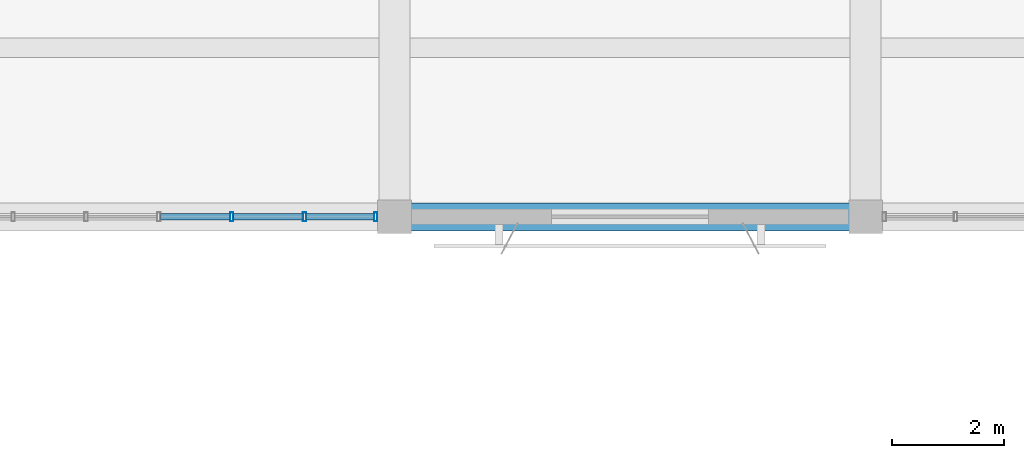
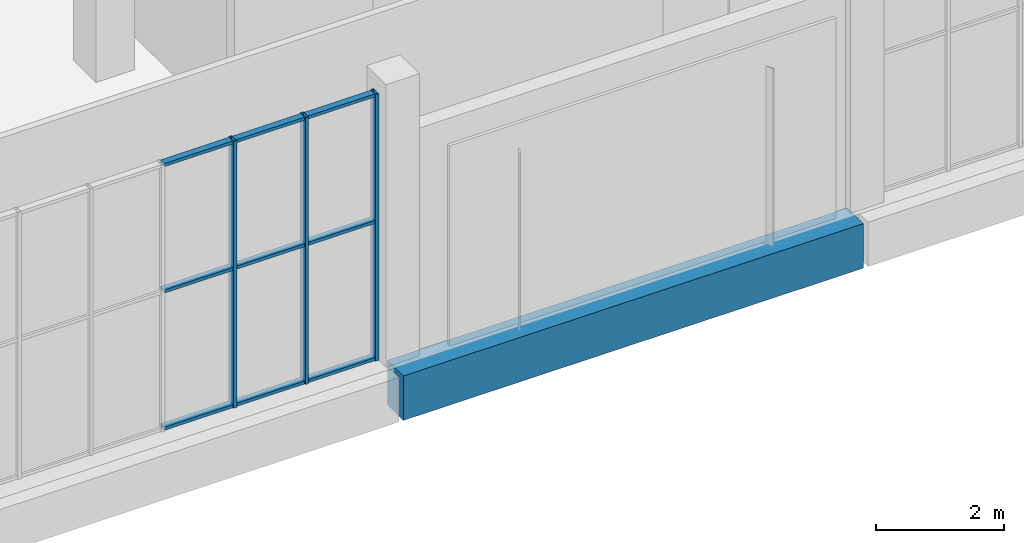
# One storey, part 68 of 132: 12 members, 1 beam, 1 element without a shape of its own.
"""IFC4 building model written with IfcOpenShell, lengths in metres."""

from ifc_helpers import new_model, si_unit, direction, frame, origin, origin_2d, place, context, subcontext, project, spatial, rectangle, hollow_rectangle, extrude, material, material_profile, profile_set, type_object, element, aggregate, save


model = new_model("IFC4")

# Units and contexts
model_context = context("Model", 3, precision=1e-05, world=origin(), true_north=direction((0.0, 1.0)))
body_context = subcontext(model_context, "Body", "Model", "MODEL_VIEW")
ifc_project = project(units=[si_unit("LENGTHUNIT", "METRE"), si_unit("AREAUNIT", "SQUARE_METRE"), si_unit("VOLUMEUNIT", "CUBIC_METRE"), si_unit("PLANEANGLEUNIT", "RADIAN"), si_unit("MASSUNIT", "GRAM", prefix="KILO")], contexts=[model_context])

# Site, building, storey
site_placement = place(None, origin())
site = spatial("IfcSite", under=ifc_project, at=site_placement, CompositionType="ELEMENT")
building_placement = place(site_placement, origin())
building = spatial("IfcBuilding", under=site, at=building_placement, Name="Khurvash Pelagic Aquarium", CompositionType="ELEMENT")
storey_placement = place(building_placement, frame((0.0, 0.0, 5.39990234375)))
storey = spatial("IfcBuildingStorey", under=building, at=storey_placement, Name="L01", CompositionType="ELEMENT", Elevation=5.39990234375)

# Curtain wall, members
ifc_material_1 = material(Name="Anodised aluminium and low-E laminated glass", Category="aluminium")
curtain_wall_type = type_object("IfcCurtainWallType", Name="CW-05", PredefinedType="USERDEFINED", material=ifc_material_1)
curtain_wall_placement = place(storey_placement, origin())
curtain_wall = element("IfcCurtainWall", 1, at=curtain_wall_placement, inside=storey, type_object=curtain_wall_type, Name="L01 Facade Unitised Curtain Wall CW-05 0137", ObjectType="UNITISED CURTAIN WALL", PredefinedType="USERDEFINED")
ifc_material_2 = material(Name="Extruded aluminium AW-6063-T6", Category="aluminium")
ifc_material_profile_1 = material_profile(ifc_material_2, hollow_rectangle(XDim=0.06005859375, YDim=0.159912109375, WallThickness=0.00390625, at=origin_2d()), Name="CWM60X160X4")
ifc_profile_set_1 = profile_set([ifc_material_profile_1], Name="Extruded aluminium AW-6063-T6")
member_type_1 = type_object("IfcMemberType", Name="CM-02", PredefinedType="MULLION", material=ifc_profile_set_1)
member_1_placement = place(storey_placement, frame((64.29833984375, 84.050048828125, 0.0), z_axis=(0.0, 0.0, 1.0), x_axis=(1.0, 0.0, 0.0)))
member_1 = element("IfcMember", 2, at=member_1_placement, type_object=member_type_1, Name="CW-05 mullion 5", PredefinedType="MULLION", context=body_context, shape_type="SweptSolid", body=[
    extrude(hollow_rectangle(XDim=0.06005859375, YDim=0.159912109375, WallThickness=0.00390625, at=origin_2d()), origin(), (0.0, 0.0, 1.0), 5.10009765625),
])
member_2_placement = place(storey_placement, frame((65.5966796875, 84.050048828125, 0.0), z_axis=(0.0, 0.0, 1.0), x_axis=(1.0, 0.0, 0.0)))
member_2 = element("IfcMember", 3, at=member_2_placement, type_object=member_type_1, Name="CW-05 mullion 6", PredefinedType="MULLION", context=body_context, shape_type="SweptSolid", body=[
    extrude(hollow_rectangle(XDim=0.06005859375, YDim=0.159912109375, WallThickness=0.00390625, at=origin_2d()), origin(), (0.0, 0.0, 1.0), 5.10009765625),
])
member_3_placement = place(storey_placement, frame((66.864990234375, 84.050048828125, 0.0), z_axis=(0.0, 0.0, 1.0), x_axis=(1.0, 0.0, 0.0)))
member_3 = element("IfcMember", 4, at=member_3_placement, type_object=member_type_1, Name="CW-05 mullion 7", PredefinedType="MULLION", context=body_context, shape_type="SweptSolid", body=[
    extrude(hollow_rectangle(XDim=0.06005859375, YDim=0.159912109375, WallThickness=0.00390625, at=origin_2d()), origin(), (0.0, 0.0, 1.0), 5.10009765625),
])
ifc_material_profile_2 = material_profile(ifc_material_2, hollow_rectangle(XDim=0.1201171875, YDim=0.06005859375, WallThickness=0.00390625, at=origin_2d()), Name="CWT120X60X4")
ifc_profile_set_2 = profile_set([ifc_material_profile_2], Name="Extruded aluminium AW-6063-T6")
member_type_2 = type_object("IfcMemberType", Name="CT-02", PredefinedType="USERDEFINED", material=ifc_profile_set_2)
member_4_placement = place(storey_placement, frame((63.030029296875, 84.050048828125, 0.030029296875), z_axis=(1.0, 0.0, 0.0), x_axis=(0.0, 1.0, 0.0)))
member_4 = element("IfcMember", 5, at=member_4_placement, type_object=member_type_2, Name="CW-05 transom 4.1", ObjectType="TRANSOM", PredefinedType="USERDEFINED", context=body_context, shape_type="SweptSolid", body=[
    extrude(hollow_rectangle(XDim=0.1201171875, YDim=0.06005859375, WallThickness=0.00390625, at=origin_2d()), origin(), (0.0, 0.0, 1.0), 1.23828125),
])
member_5_placement = place(storey_placement, frame((63.030029296875, 84.050048828125, 2.652099609375), z_axis=(1.0, 0.0, 0.0), x_axis=(0.0, 1.0, 0.0)))
member_5 = element("IfcMember", 6, at=member_5_placement, type_object=member_type_2, Name="CW-05 transom 4.2", ObjectType="TRANSOM", PredefinedType="USERDEFINED", context=body_context, shape_type="SweptSolid", body=[
    extrude(hollow_rectangle(XDim=0.1201171875, YDim=0.06005859375, WallThickness=0.00390625, at=origin_2d()), origin(), (0.0, 0.0, 1.0), 1.23828125),
])
member_6_placement = place(storey_placement, frame((63.030029296875, 84.050048828125, 5.070068359375), z_axis=(1.0, 0.0, 0.0), x_axis=(0.0, 1.0, 0.0)))
member_6 = element("IfcMember", 7, at=member_6_placement, type_object=member_type_2, Name="CW-05 transom 4.3", ObjectType="TRANSOM", PredefinedType="USERDEFINED", context=body_context, shape_type="SweptSolid", body=[
    extrude(hollow_rectangle(XDim=0.1201171875, YDim=0.06005859375, WallThickness=0.00390625, at=origin_2d()), origin(), (0.0, 0.0, 1.0), 1.23828125),
])
member_7_placement = place(storey_placement, frame((64.328369140625, 84.050048828125, 0.030029296875), z_axis=(1.0, 0.0, 0.0), x_axis=(0.0, 1.0, 0.0)))
member_7 = element("IfcMember", 8, at=member_7_placement, type_object=member_type_2, Name="CW-05 transom 5.1", ObjectType="TRANSOM", PredefinedType="USERDEFINED", context=body_context, shape_type="SweptSolid", body=[
    extrude(hollow_rectangle(XDim=0.1201171875, YDim=0.06005859375, WallThickness=0.00390625, at=origin_2d()), origin(), (0.0, 0.0, 1.0), 1.23828125),
])
member_8_placement = place(storey_placement, frame((64.328369140625, 84.050048828125, 2.652099609375), z_axis=(1.0, 0.0, 0.0), x_axis=(0.0, 1.0, 0.0)))
member_8 = element("IfcMember", 9, at=member_8_placement, type_object=member_type_2, Name="CW-05 transom 5.2", ObjectType="TRANSOM", PredefinedType="USERDEFINED", context=body_context, shape_type="SweptSolid", body=[
    extrude(hollow_rectangle(XDim=0.1201171875, YDim=0.06005859375, WallThickness=0.00390625, at=origin_2d()), origin(), (0.0, 0.0, 1.0), 1.23828125),
])
member_9_placement = place(storey_placement, frame((64.328369140625, 84.050048828125, 5.070068359375), z_axis=(1.0, 0.0, 0.0), x_axis=(0.0, 1.0, 0.0)))
member_9 = element("IfcMember", 10, at=member_9_placement, type_object=member_type_2, Name="CW-05 transom 5.3", ObjectType="TRANSOM", PredefinedType="USERDEFINED", context=body_context, shape_type="SweptSolid", body=[
    extrude(hollow_rectangle(XDim=0.1201171875, YDim=0.06005859375, WallThickness=0.00390625, at=origin_2d()), origin(), (0.0, 0.0, 1.0), 1.23828125),
])
member_10_placement = place(storey_placement, frame((65.626708984375, 84.050048828125, 0.030029296875), z_axis=(1.0, 0.0, 0.0), x_axis=(0.0, 1.0, 0.0)))
member_10 = element("IfcMember", 11, at=member_10_placement, type_object=member_type_2, Name="CW-05 transom 6.1", ObjectType="TRANSOM", PredefinedType="USERDEFINED", context=body_context, shape_type="SweptSolid", body=[
    extrude(hollow_rectangle(XDim=0.1201171875, YDim=0.06005859375, WallThickness=0.00390625, at=origin_2d()), origin(), (0.0, 0.0, 1.0), 1.208251953125),
])
member_11_placement = place(storey_placement, frame((65.626708984375, 84.050048828125, 2.652099609375), z_axis=(1.0, 0.0, 0.0), x_axis=(0.0, 1.0, 0.0)))
member_11 = element("IfcMember", 12, at=member_11_placement, type_object=member_type_2, Name="CW-05 transom 6.2", ObjectType="TRANSOM", PredefinedType="USERDEFINED", context=body_context, shape_type="SweptSolid", body=[
    extrude(hollow_rectangle(XDim=0.1201171875, YDim=0.06005859375, WallThickness=0.00390625, at=origin_2d()), origin(), (0.0, 0.0, 1.0), 1.208251953125),
])
member_12_placement = place(storey_placement, frame((65.626708984375, 84.050048828125, 5.070068359375), z_axis=(1.0, 0.0, 0.0), x_axis=(0.0, 1.0, 0.0)))
member_12 = element("IfcMember", 13, at=member_12_placement, type_object=member_type_2, Name="CW-05 transom 6.3", ObjectType="TRANSOM", PredefinedType="USERDEFINED", context=body_context, shape_type="SweptSolid", body=[
    extrude(hollow_rectangle(XDim=0.1201171875, YDim=0.06005859375, WallThickness=0.00390625, at=origin_2d()), origin(), (0.0, 0.0, 1.0), 1.208251953125),
])
aggregate(curtain_wall, [member_1, member_2, member_3, member_4, member_5, member_6, member_7, member_8, member_9, member_10, member_11, member_12])

# Beam
ifc_material_3 = material(Name="Concrete C40/50", Category="concrete")
ifc_material_profile_3 = material_profile(ifc_material_3, rectangle(XDim=0.5, YDim=0.85009765625, at=origin_2d()), Name="RC500X850")
ifc_profile_set_3 = profile_set([ifc_material_profile_3], Name="Concrete C40/50")
beam_type = type_object("IfcBeamType", Name="SEB-03", PredefinedType="SPANDREL", material=ifc_profile_set_3)
beam_placement = place(storey_placement, frame((67.239990234375, 84.050048828125, -0.744873046875), z_axis=(1.0, 0.0, 0.0), x_axis=(0.0, 1.0, 0.0)))
element("IfcBeam", 14, at=beam_placement, inside=storey, type_object=beam_type, Name="L01 Primary Girder SEB-03 00311", PredefinedType="SPANDREL", context=body_context, shape_type="SweptSolid", body=[
    extrude(rectangle(XDim=0.5, YDim=0.85009765625, at=origin_2d()), origin(), (0.0, 0.0, 1.0), 8.320068359375),
])

save(model, "model.ifc")
